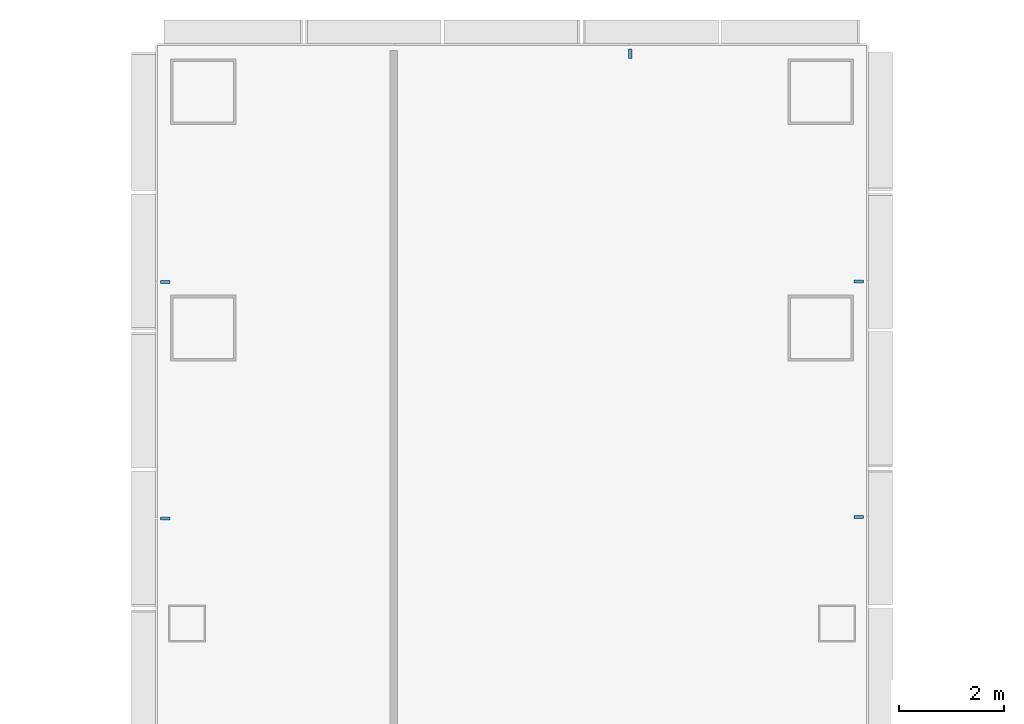
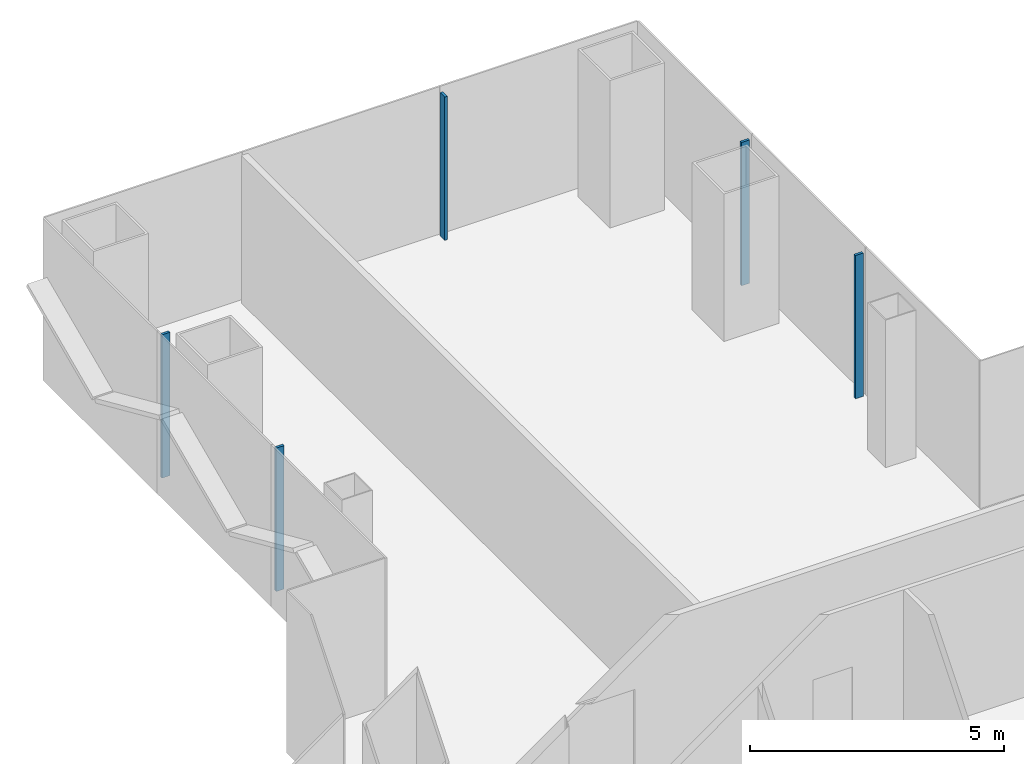
# One storey, part 8 of 20: 5 members, 3 elements without a shape of their own.
"""IFC4 building model written with IfcOpenShell, lengths in metres."""

from ifc_helpers import new_model, si_unit, direction, frame, origin, origin_2d, place, context, subcontext, project, spatial, rectangle, extrude, material, layer, layer_set, material_profile, profile_set, type_object, element, aggregate, save


model = new_model("IFC4")

# Units and contexts
model_context = context("Model", 3, precision=1e-05, world=origin(), true_north=direction((0.0, 1.0)))
body_context = subcontext(model_context, "Body", "Model", "MODEL_VIEW")
ifc_project = project(units=[si_unit("LENGTHUNIT", "METRE"), si_unit("AREAUNIT", "SQUARE_METRE"), si_unit("VOLUMEUNIT", "CUBIC_METRE"), si_unit("PLANEANGLEUNIT", "RADIAN"), si_unit("MASSUNIT", "GRAM", prefix="KILO")], contexts=[model_context])

# Site, building, storey
site_placement = place(None, origin())
site = spatial("IfcSite", under=ifc_project, at=site_placement, CompositionType="ELEMENT")
building_placement = place(site_placement, origin())
building = spatial("IfcBuilding", under=site, at=building_placement, Name="Shamsa Quay Exchange Towers", CompositionType="ELEMENT")
storey_placement = place(building_placement, frame((0.0, 0.0, 101.39990234375)))
storey = spatial("IfcBuildingStorey", under=building, at=storey_placement, Name="L23", CompositionType="ELEMENT", Elevation=101.39990234375)

# Curtain wall, members
ifc_material = material(Name="Aluminium EN AW-6063 T6, black anodised", Category="aluminium")
ifc_layer = layer(ifc_material, 0.280029296875)
ifc_layer_set = layer_set([ifc_layer], Name="CW-1 UNITISED VISION GLASS")
curtain_wall_type = type_object("IfcCurtainWallType", Name="CW-1 UNITISED VISION GLASS", PredefinedType="NOTDEFINED", material=ifc_layer_set)
curtain_wall_1_placement = place(storey_placement, origin())
curtain_wall_1 = element("IfcCurtainWall", 1, at=curtain_wall_1_placement, inside=storey, type_object=curtain_wall_type, Name="CW1 T2-FLK-U+S L23", PredefinedType="NOTDEFINED")
ifc_material_profile = material_profile(ifc_material, rectangle(XDim=0.179931640625, YDim=0.06005859375, at=origin_2d()), Name="MU60x180")
ifc_profile_set = profile_set([ifc_material_profile], Name="Aluminium EN AW-6063 T6, black anodised")
member_type = type_object("IfcMemberType", Name="CW1 MULLION 60x180", PredefinedType="MULLION", material=ifc_profile_set)
member_1_placement = place(storey_placement, frame((40.35009765625, 15.775390625, 0.0), z_axis=(0.0, 0.0, 1.0), x_axis=(-1.0, 0.0, 0.0)))
member_1 = element("IfcMember", 2, at=member_1_placement, type_object=member_type, Name="CW1 mullion", PredefinedType="MULLION", context=body_context, shape_type="SweptSolid", body=[
    extrude(rectangle(XDim=0.179931640625, YDim=0.06005859375, at=origin_2d()), origin(), (0.0, 0.0, 1.0), 3.4501953125),
])
member_2_placement = place(storey_placement, frame((40.35009765625, 20.2626953125, 0.0), z_axis=(0.0, 0.0, 1.0), x_axis=(-1.0, 0.0, 0.0)))
member_2 = element("IfcMember", 3, at=member_2_placement, type_object=member_type, Name="CW1 mullion", PredefinedType="MULLION", context=body_context, shape_type="SweptSolid", body=[
    extrude(rectangle(XDim=0.179931640625, YDim=0.06005859375, at=origin_2d()), origin(), (0.0, 0.0, 1.0), 3.4501953125),
])
aggregate(curtain_wall_1, [member_1, member_2])

# Curtain wall, member
curtain_wall_2_placement = place(storey_placement, origin())
curtain_wall_2 = element("IfcCurtainWall", 4, at=curtain_wall_2_placement, inside=storey, type_object=curtain_wall_type, Name="CW1 T2-END-U+ L23", PredefinedType="NOTDEFINED")
member_3_placement = place(storey_placement, frame((36.0, 24.60009765625, 0.0), z_axis=(0.0, 0.0, 1.0), x_axis=(0.0, -1.0, 0.0)))
member_3 = element("IfcMember", 5, at=member_3_placement, type_object=member_type, Name="CW1 mullion", PredefinedType="MULLION", context=body_context, shape_type="SweptSolid", body=[
    extrude(rectangle(XDim=0.179931640625, YDim=0.06005859375, at=origin_2d()), origin(), (0.0, 0.0, 1.0), 3.4501953125),
])
aggregate(curtain_wall_2, [member_3])

# Curtain wall, members
curtain_wall_3_placement = place(storey_placement, origin())
curtain_wall_3 = element("IfcCurtainWall", 6, at=curtain_wall_3_placement, inside=storey, type_object=curtain_wall_type, Name="CW1 T2-FLK-U+N L23", PredefinedType="NOTDEFINED")
member_4_placement = place(storey_placement, frame((27.14990234375, 20.25, 0.0)))
member_4 = element("IfcMember", 7, at=member_4_placement, type_object=member_type, Name="CW1 mullion", PredefinedType="MULLION", context=body_context, shape_type="SweptSolid", body=[
    extrude(rectangle(XDim=0.179931640625, YDim=0.06005859375, at=origin_2d()), origin(), (0.0, 0.0, 1.0), 3.4501953125),
])
member_5_placement = place(storey_placement, frame((27.14990234375, 15.75, 0.0)))
member_5 = element("IfcMember", 8, at=member_5_placement, type_object=member_type, Name="CW1 mullion", PredefinedType="MULLION", context=body_context, shape_type="SweptSolid", body=[
    extrude(rectangle(XDim=0.179931640625, YDim=0.06005859375, at=origin_2d()), origin(), (0.0, 0.0, 1.0), 3.4501953125),
])
aggregate(curtain_wall_3, [member_4, member_5])

save(model, "model.ifc")
